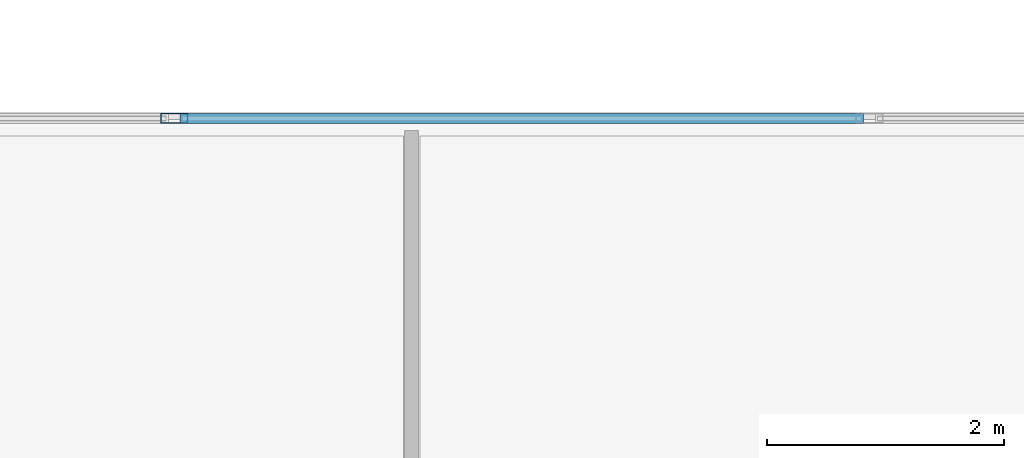
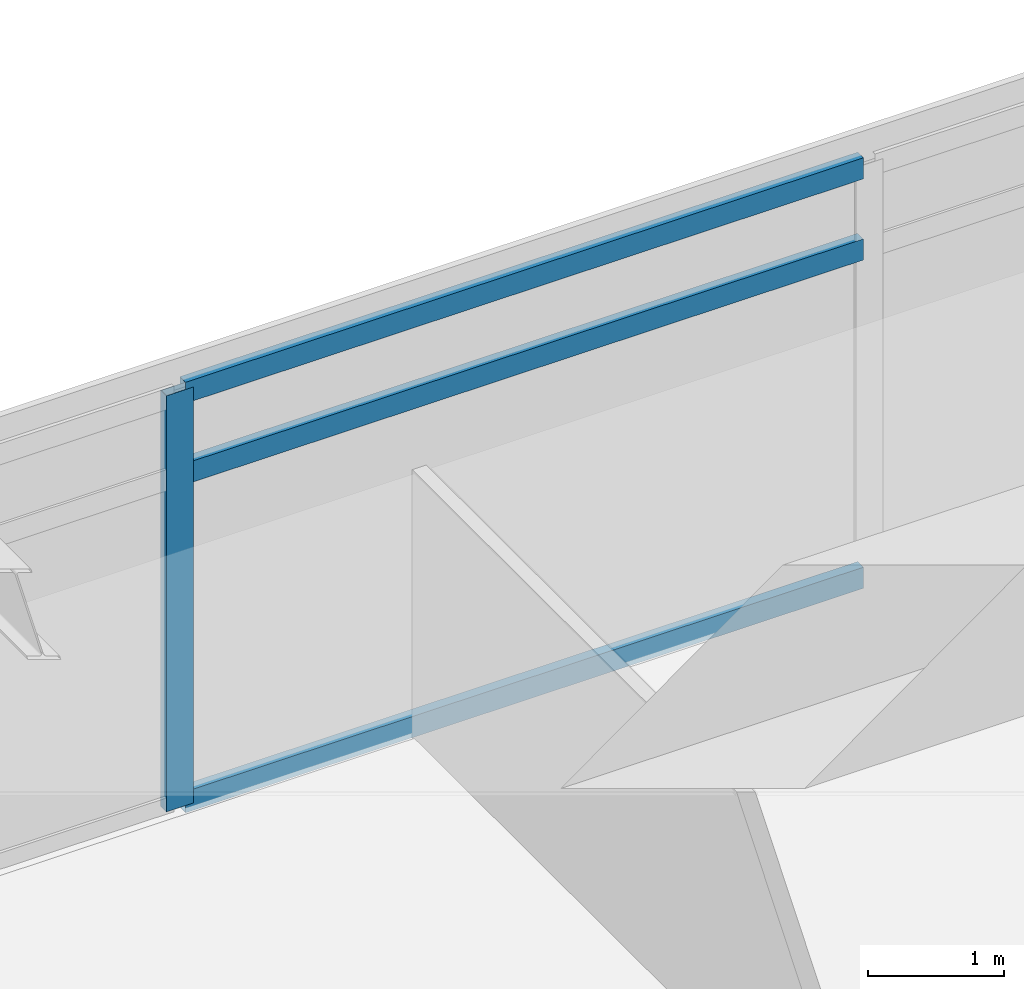
# One storey, part 8 of 21: 4 members, 1 element without a shape of its own.
"""IFC4 building model written with IfcOpenShell, lengths in metres."""

from ifc_helpers import new_model, si_unit, direction, frame, origin, origin_2d, place, context, subcontext, project, spatial, hollow_rectangle, extrude, material, material_profile, profile_set, type_object, element, aggregate, save


model = new_model("IFC4")

# Units and contexts
model_context = context("Model", 3, precision=1e-05, world=origin(), true_north=direction((0.0, 1.0)))
body_context = subcontext(model_context, "Body", "Model", "MODEL_VIEW")
ifc_project = project(units=[si_unit("LENGTHUNIT", "METRE"), si_unit("AREAUNIT", "SQUARE_METRE"), si_unit("VOLUMEUNIT", "CUBIC_METRE"), si_unit("PLANEANGLEUNIT", "RADIAN"), si_unit("MASSUNIT", "GRAM", prefix="KILO")], contexts=[model_context])

# Site, building, storey
site_placement = place(None, origin())
site = spatial("IfcSite", under=ifc_project, at=site_placement, CompositionType="ELEMENT")
building_placement = place(site_placement, origin())
building = spatial("IfcBuilding", under=site, at=building_placement, Name="Kovane Verandah Tower", CompositionType="ELEMENT")
storey_placement = place(building_placement, frame((0.0, 0.0, 310.800048828125)))
storey = spatial("IfcBuildingStorey", under=building, at=storey_placement, Name="L72", CompositionType="ELEMENT", Elevation=310.800048828125)

# Curtain wall, members
ifc_material_1 = material(Name="Champagne Anodised Aluminium Frame with Low-E Clear Laminated Glass", Category="aluminium")
curtain_wall_type = type_object("IfcCurtainWallType", Name="CW-SYS-05-HIGH", PredefinedType="NOTDEFINED", material=ifc_material_1)
curtain_wall_placement = place(storey_placement, origin())
curtain_wall = element("IfcCurtainWall", 1, at=curtain_wall_placement, inside=storey, type_object=curtain_wall_type, Name="L72 N Unitised Curtain Wall", PredefinedType="NOTDEFINED")
ifc_material_2 = material(Name="Champagne Anodised Aluminium 6063-T6", Category="aluminium")
ifc_material_profile_1 = material_profile(ifc_material_2, hollow_rectangle(XDim=0.0849609375, YDim=0.22998046875, WallThickness=0.00390625, at=origin_2d()), Name="AL85x230x4")
ifc_profile_set_1 = profile_set([ifc_material_profile_1], Name="Champagne Anodised Aluminium 6063-T6")
member_type_1 = type_object("IfcMemberType", Name="CW-MUL-85x230", PredefinedType="MULLION", material=ifc_profile_set_1)
member_1_placement = place(storey_placement, frame((31.1953125, 48.872314453125, 0.02001953125), z_axis=(0.0, 0.0, 1.0), x_axis=(0.0, 1.0, 0.0)))
member_1 = element("IfcMember", 2, at=member_1_placement, type_object=member_type_1, Name="L72 N Unitised Curtain Wall Mullion 6", PredefinedType="MULLION", context=body_context, shape_type="SweptSolid", body=[
    extrude(hollow_rectangle(XDim=0.0849609375, YDim=0.22998046875, WallThickness=0.00390625, at=origin_2d()), origin(), (0.0, 0.0, 1.0), 3.744873046875),
])
ifc_material_profile_2 = material_profile(ifc_material_2, hollow_rectangle(XDim=0.0849609375, YDim=0.18994140625, WallThickness=0.00390625, at=origin_2d()), Name="AL85x190x4")
ifc_profile_set_2 = profile_set([ifc_material_profile_2], Name="Champagne Anodised Aluminium 6063-T6")
member_type_2 = type_object("IfcMemberType", Name="CW-TRN-85x190", PredefinedType="USERDEFINED", material=ifc_profile_set_2)
member_2_placement = place(storey_placement, frame((37.01513671875, 48.872314453125, 0.050048828125), z_axis=(-1.0, 0.0, 0.0), x_axis=(0.0, -1.0, 0.0)))
member_2 = element("IfcMember", 3, at=member_2_placement, type_object=member_type_2, Name="L72 N Unitised Curtain Wall Transom TB Bay 5", ObjectType="TRANSOM", PredefinedType="USERDEFINED", context=body_context, shape_type="SweptSolid", body=[
    extrude(hollow_rectangle(XDim=0.0849609375, YDim=0.18994140625, WallThickness=0.00390625, at=origin_2d()), origin(), (0.0, 0.0, 1.0), 5.769775390625),
])
member_3_placement = place(storey_placement, frame((37.01513671875, 48.872314453125, 3.0048828125), z_axis=(-1.0, 0.0, 0.0), x_axis=(0.0, -1.0, 0.0)))
member_3 = element("IfcMember", 4, at=member_3_placement, type_object=member_type_2, Name="L72 N Unitised Curtain Wall Transom TM Bay 5", ObjectType="TRANSOM", PredefinedType="USERDEFINED", context=body_context, shape_type="SweptSolid", body=[
    extrude(hollow_rectangle(XDim=0.0849609375, YDim=0.18994140625, WallThickness=0.00390625, at=origin_2d()), origin(), (0.0, 0.0, 1.0), 5.769775390625),
])
member_4_placement = place(storey_placement, frame((37.01513671875, 48.872314453125, 3.73486328125), z_axis=(-1.0, 0.0, 0.0), x_axis=(0.0, -1.0, 0.0)))
member_4 = element("IfcMember", 5, at=member_4_placement, type_object=member_type_2, Name="L72 N Unitised Curtain Wall Transom TT Bay 5", ObjectType="TRANSOM", PredefinedType="USERDEFINED", context=body_context, shape_type="SweptSolid", body=[
    extrude(hollow_rectangle(XDim=0.0849609375, YDim=0.18994140625, WallThickness=0.00390625, at=origin_2d()), origin(), (0.0, 0.0, 1.0), 5.769775390625),
])
aggregate(curtain_wall, [member_1, member_2, member_3, member_4])

save(model, "model.ifc")
